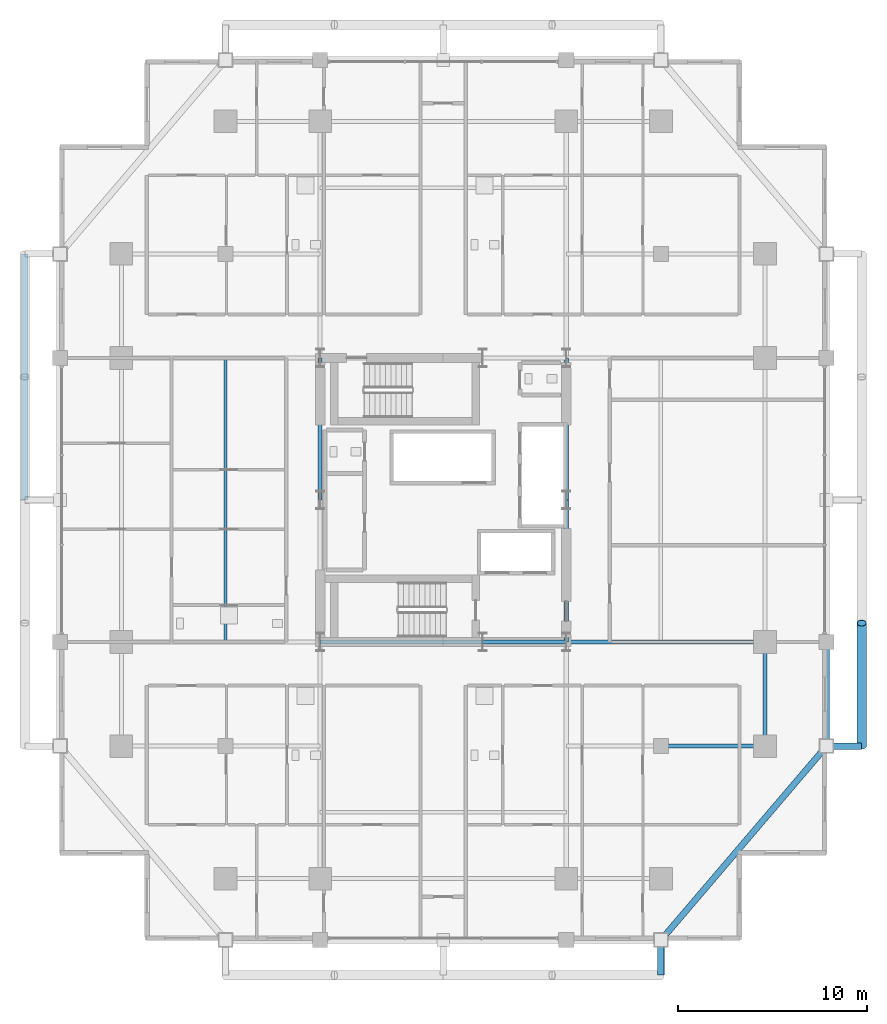
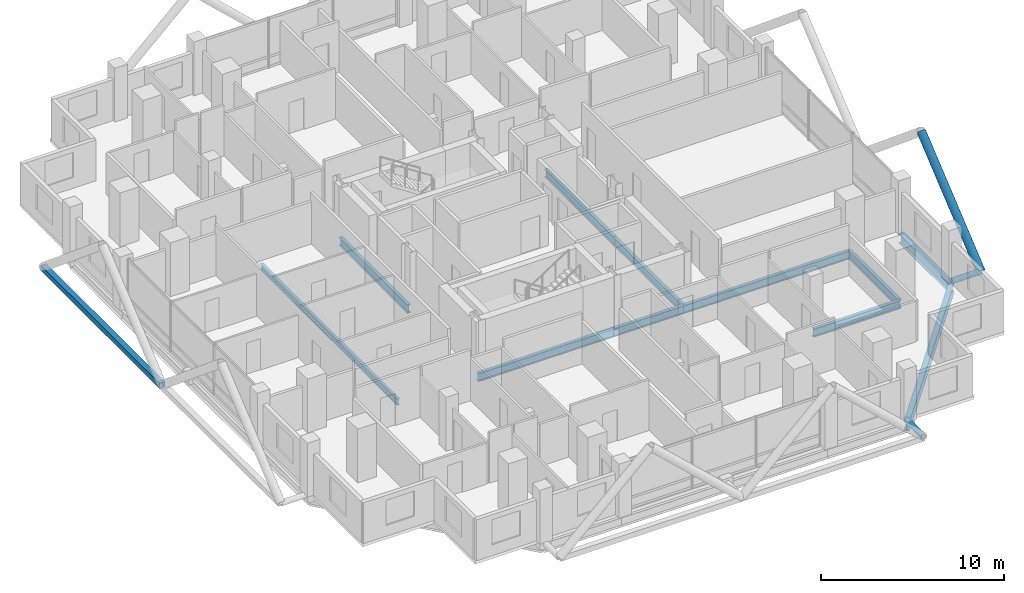
# One storey, part 8 of 25: 11 beams, 4 members.
"""IFC4 building model written with IfcOpenShell, lengths in metres."""

from ifc_helpers import new_model, si_unit, direction, frame, origin, origin_2d, place, context, subcontext, project, spatial, hollow_rectangle, hollow_circle, i_section, extrude, material, material_profile, profile_set, type_object, element, save


model = new_model("IFC4")

# Units and contexts
model_context = context("Model", 3, precision=1e-05, world=origin(), true_north=direction((0.0, 1.0)))
body_context = subcontext(model_context, "Body", "Model", "MODEL_VIEW")
ifc_project = project(units=[si_unit("LENGTHUNIT", "METRE"), si_unit("AREAUNIT", "SQUARE_METRE"), si_unit("VOLUMEUNIT", "CUBIC_METRE"), si_unit("PLANEANGLEUNIT", "RADIAN"), si_unit("MASSUNIT", "GRAM", prefix="KILO")], contexts=[model_context])

# Site, building, storey
site_placement = place(None, origin())
site = spatial("IfcSite", under=ifc_project, at=site_placement, CompositionType="ELEMENT")
building_placement = place(site_placement, origin())
building = spatial("IfcBuilding", under=site, at=building_placement, Name="Barlavira Tower and Art Museum", CompositionType="ELEMENT")
storey_placement = place(building_placement, frame((0.0, 0.0, 133.199951171875)))
storey = spatial("IfcBuildingStorey", under=building, at=storey_placement, Name="L33", CompositionType="ELEMENT", Elevation=133.199951171875)

# Members
ifc_material = material(Name="Steel S355", Category="steel")
ifc_material_profile_1 = material_profile(ifc_material, hollow_circle(Radius=0.25390625, WallThickness=0.022216796875, at=origin_2d()), Name="CHS 508.0x22.2")
ifc_profile_set_1 = profile_set([ifc_material_profile_1], Name="Steel S355")
member_type_1 = type_object("IfcMemberType", Name="Pale-Metal Exoskeleton Diagrid Tube CHS 508x22 Steel S355", PredefinedType="BRACE", material=ifc_profile_set_1)
member_1_placement = place(storey_placement, frame((22.10009765625, -13.0, -0.119873046875), z_axis=(0.0, 0.769196053329, 0.639012857104), x_axis=(-1.0, 0.0, 0.0)))
element("IfcMember", 1, at=member_1_placement, inside=storey, type_object=member_type_1, Name="L33 Exoskeleton Diagrid Tube E", PredefinedType="BRACE", context=body_context, shape_type="SweptSolid", body=[
    extrude(hollow_circle(Radius=0.25390625, WallThickness=0.022216796875, at=origin_2d()), origin(), (0.0, 0.0, 1.0), 8.450439453125),
])
ifc_material_profile_2 = material_profile(ifc_material, hollow_rectangle(XDim=0.35009765625, YDim=0.35009765625, WallThickness=0.02001953125, at=origin_2d()), Name="SHS 350x350x20.0")
ifc_profile_set_2 = profile_set([ifc_material_profile_2], Name="Steel S355")
member_type_2 = type_object("IfcMemberType", Name="Pale-Metal Exoskeleton Ring Strut SHS 350x350x20 Steel S355", PredefinedType="STRUT", material=ifc_profile_set_2)
member_2_placement = place(storey_placement, frame((-22.10009765625, 0.0, -0.119873046875), z_axis=(0.0, 1.0, 0.0), x_axis=(-1.0, 0.0, 0.0)))
element("IfcMember", 2, at=member_2_placement, inside=storey, type_object=member_type_2, Name="L33 Exoskeleton Ring Strut W", PredefinedType="STRUT", context=body_context, shape_type="SweptSolid", body=[
    extrude(hollow_rectangle(XDim=0.35009765625, YDim=0.35009765625, WallThickness=0.02001953125, at=origin_2d()), origin(), (0.0, 0.0, 1.0), 13.0),
])
ifc_material_profile_3 = material_profile(ifc_material, hollow_circle(Radius=0.177734375, WallThickness=0.01611328125, at=origin_2d()), Name="CHS 355.6x16.0")
ifc_profile_set_3 = profile_set([ifc_material_profile_3], Name="Steel S355")
member_type_3 = type_object("IfcMemberType", Name="Pale-Metal Exoskeleton Tie Strut CHS 356x16 Steel S355", PredefinedType="STRUT", material=ifc_profile_set_3)
for number, where, z_axis, x_axis, name in (
    (3, (11.5, -25.10009765625, -0.119873046875), (0.0, 1.0, 0.0), (-1.0, 0.0, 0.0), "L33 Exoskeleton Tie Strut S3"),
    (4, (22.10009765625, -13.0, -0.119873046875), (-1.0, 0.0, 0.0), (0.0, -1.0, 0.0), "L33 Exoskeleton Tie Strut E1"),
):
    element("IfcMember", number, at=place(storey_placement, frame(where, z_axis=z_axis, x_axis=x_axis)), inside=storey, type_object=member_type_3, Name=name, PredefinedType="STRUT", context=body_context, shape_type="SweptSolid", body=[
        extrude(hollow_circle(Radius=0.177734375, WallThickness=0.01611328125, at=origin_2d()), origin(), (0.0, 0.0, 1.0), 1.85009765625),
    ])

# Beams
ifc_material_profile_4 = material_profile(ifc_material, i_section(OverallWidth=0.327880859375, OverallDepth=0.62890625, WebThickness=0.013916015625, FlangeThickness=0.021484375, at=origin_2d()), Name="W610x174.0")
ifc_profile_set_4 = profile_set([ifc_material_profile_4], Name="Steel S355")
beam_type_1 = type_object("IfcBeamType", Name="Perimeter Spandrel Edge Beam W610x174 Steel S355", PredefinedType="SPANDREL", material=ifc_profile_set_4)
beam_1_placement = place(storey_placement, frame((11.5, -23.25, -0.534423828125), z_axis=(0.649262379928, 0.760564502202, 0.0), x_axis=(-0.760564502202, 0.649262379928, 0.0)))
element("IfcBeam", 5, at=beam_1_placement, inside=storey, type_object=beam_type_1, Name="L33 Spandrel 4", PredefinedType="SPANDREL", context=body_context, shape_type="SweptSolid", body=[
    extrude(i_section(OverallWidth=0.327880859375, OverallDepth=0.62890625, WebThickness=0.013916015625, FlangeThickness=0.021484375, at=origin_2d()), origin(), (0.0, 0.0, 1.0), 13.476806640625),
])
beam_2_placement = place(storey_placement, frame((20.25, -13.0, -0.534423828125), z_axis=(0.0, 1.0, 0.0), x_axis=(-1.0, 0.0, 0.0)))
element("IfcBeam", 6, at=beam_2_placement, inside=storey, type_object=beam_type_1, Name="L33 Spandrel 5", PredefinedType="SPANDREL", context=body_context, shape_type="SweptSolid", body=[
    extrude(i_section(OverallWidth=0.327880859375, OverallDepth=0.62890625, WebThickness=0.013916015625, FlangeThickness=0.021484375, at=origin_2d()), origin(), (0.0, 0.0, 1.0), 5.5),
])
ifc_material_profile_5 = material_profile(ifc_material, i_section(OverallWidth=0.214111328125, OverallDepth=0.549072265625, WebThickness=0.0146484375, FlangeThickness=0.023681640625, at=origin_2d()), Name="W530x138.0")
ifc_profile_set_5 = profile_set([ifc_material_profile_5], Name="Steel S355")
beam_type_2 = type_object("IfcBeamType", Name="Zone 1 Primary Floor Girder W530x138 Steel S355", PredefinedType="BEAM", material=ifc_profile_set_5)
beam_3_placement = place(storey_placement, frame((-6.5, -7.5, -0.494384765625), z_axis=(1.0, 0.0, 0.0), x_axis=(0.0, 1.0, 0.0)))
element("IfcBeam", 7, at=beam_3_placement, inside=storey, type_object=beam_type_2, Name="L33 Girder C-S1", PredefinedType="BEAM", context=body_context, shape_type="SweptSolid", body=[
    extrude(i_section(OverallWidth=0.214111328125, OverallDepth=0.549072265625, WebThickness=0.0146484375, FlangeThickness=0.023681640625, at=origin_2d()), origin(), (0.0, 0.0, 1.0), 8.580078125),
])
beam_4_placement = place(storey_placement, frame((2.080078125, -7.5, -0.494384765625), z_axis=(1.0, 0.0, 0.0), x_axis=(0.0, 1.0, 0.0)))
element("IfcBeam", 8, at=beam_4_placement, inside=storey, type_object=beam_type_2, Name="L33 Girder C-S2", PredefinedType="BEAM", context=body_context, shape_type="SweptSolid", body=[
    extrude(i_section(OverallWidth=0.214111328125, OverallDepth=0.549072265625, WebThickness=0.0146484375, FlangeThickness=0.023681640625, at=origin_2d()), origin(), (0.0, 0.0, 1.0), 4.419921875),
])
for number, where, z_axis, x_axis, name in (
    (9, (-6.5, 0.0, -0.494384765625), (0.0, 1.0, 0.0), (-1.0, 0.0, 0.0), "L33 Girder C-W2"),
    (10, (6.5, -7.5, -0.494384765625), (0.0, 1.0, 0.0), (-1.0, 0.0, 0.0), "L33 Girder C-E1"),
    (11, (6.5, 0.0, -0.494384765625), (0.0, 1.0, 0.0), (-1.0, 0.0, 0.0), "L33 Girder C-E2"),
):
    element("IfcBeam", number, at=place(storey_placement, frame(where, z_axis=z_axis, x_axis=x_axis)), inside=storey, type_object=beam_type_2, Name=name, PredefinedType="BEAM", context=body_context, shape_type="SweptSolid", body=[
        extrude(i_section(OverallWidth=0.214111328125, OverallDepth=0.549072265625, WebThickness=0.0146484375, FlangeThickness=0.023681640625, at=origin_2d()), origin(), (0.0, 0.0, 1.0), 7.5),
    ])
beam_5_placement = place(storey_placement, frame((17.0, -13.0, -0.494384765625), z_axis=(0.0, 1.0, 0.0), x_axis=(-1.0, 0.0, 0.0)))
element("IfcBeam", 12, at=beam_5_placement, inside=storey, type_object=beam_type_2, Name="L33 Girder M-E1", PredefinedType="BEAM", context=body_context, shape_type="SweptSolid", body=[
    extrude(i_section(OverallWidth=0.214111328125, OverallDepth=0.549072265625, WebThickness=0.0146484375, FlangeThickness=0.023681640625, at=origin_2d()), origin(), (0.0, 0.0, 1.0), 5.5),
])
beam_6_placement = place(storey_placement, frame((6.5, -7.5, -0.494384765625), z_axis=(1.0, 0.0, 0.0), x_axis=(0.0, 1.0, 0.0)))
element("IfcBeam", 13, at=beam_6_placement, inside=storey, type_object=beam_type_2, Name="L33 Girder R-E1", PredefinedType="BEAM", context=body_context, shape_type="SweptSolid", body=[
    extrude(i_section(OverallWidth=0.214111328125, OverallDepth=0.549072265625, WebThickness=0.0146484375, FlangeThickness=0.023681640625, at=origin_2d()), origin(), (0.0, 0.0, 1.0), 10.5),
])
beam_7_placement = place(storey_placement, frame((11.5, -13.0, -0.494384765625), z_axis=(1.0, 0.0, 0.0), x_axis=(0.0, 1.0, 0.0)))
element("IfcBeam", 14, at=beam_7_placement, inside=storey, type_object=beam_type_2, Name="L33 Girder I-S4", PredefinedType="BEAM", context=body_context, shape_type="SweptSolid", body=[
    extrude(i_section(OverallWidth=0.214111328125, OverallDepth=0.549072265625, WebThickness=0.0146484375, FlangeThickness=0.023681640625, at=origin_2d()), origin(), (0.0, 0.0, 1.0), 5.5),
])
ifc_material_profile_6 = material_profile(ifc_material, i_section(OverallWidth=0.179931640625, OverallDepth=0.4130859375, WebThickness=0.009765625, FlangeThickness=0.01611328125, at=origin_2d()), Name="W410x75.0")
ifc_profile_set_6 = profile_set([ifc_material_profile_6], Name="Steel S355")
beam_type_3 = type_object("IfcBeamType", Name="Zone 2 Composite Floor Joist W410x75 Steel S355", PredefinedType="JOIST", material=ifc_profile_set_6)
beam_8_placement = place(storey_placement, frame((-11.5, -7.5, -0.426513671875), z_axis=(0.0, 1.0, 0.0), x_axis=(-1.0, 0.0, 0.0)))
element("IfcBeam", 15, at=beam_8_placement, inside=storey, type_object=beam_type_3, Name="L33 Joist W1", PredefinedType="JOIST", context=body_context, shape_type="SweptSolid", body=[
    extrude(i_section(OverallWidth=0.179931640625, OverallDepth=0.4130859375, WebThickness=0.009765625, FlangeThickness=0.01611328125, at=origin_2d()), origin(), (0.0, 0.0, 1.0), 15.0),
])

save(model, "model.ifc")
